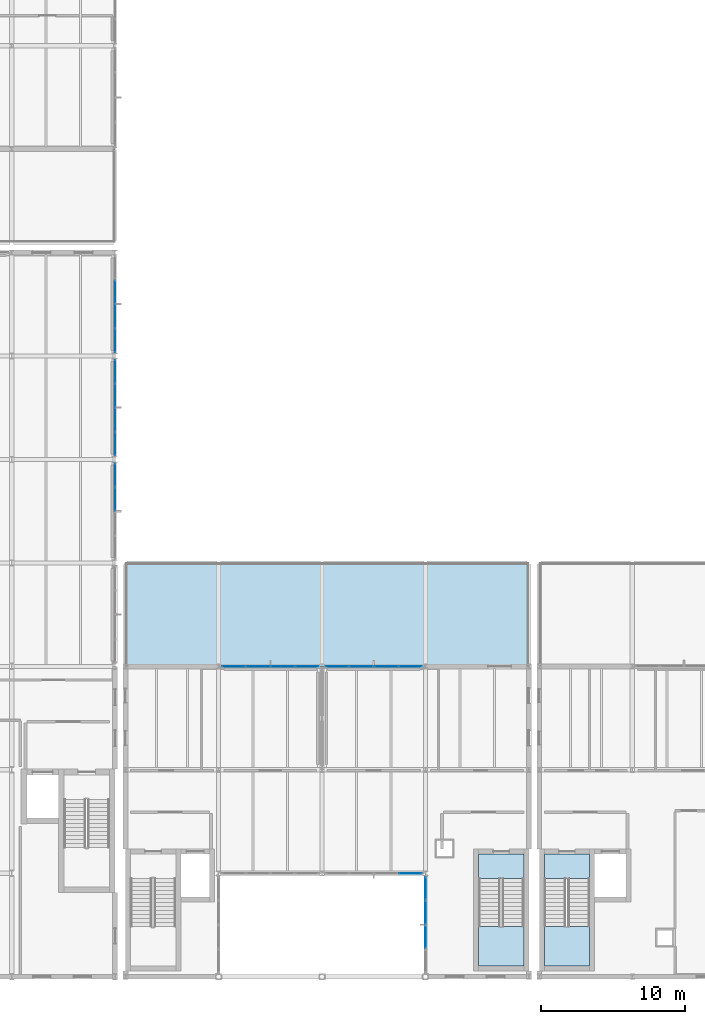
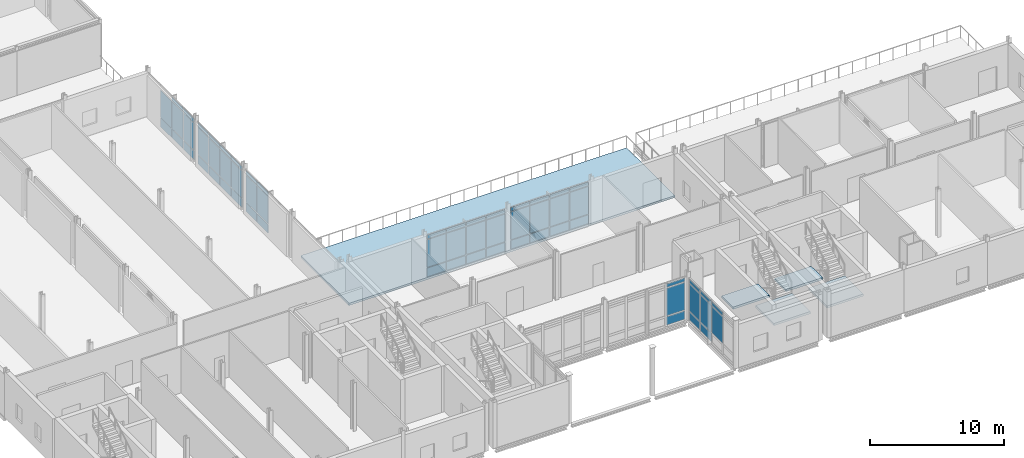
# One storey, part 24 of 53: 61 plates, 5 slabs, 9 elements without a shape of their own.
"""IFC4 building model written with IfcOpenShell, lengths in metres."""

from ifc_helpers import new_model, si_unit, direction, frame, origin, origin_2d, place, context, subcontext, project, spatial, polyline, rectangle, outline, extrude, material, layer, layer_set, type_object, element, aggregate, save


model = new_model("IFC4")

# Units and contexts
model_context = context("Model", 3, precision=1e-05, world=origin(), true_north=direction((0.0, 1.0)))
body_context = subcontext(model_context, "Body", "Model", "MODEL_VIEW")
ifc_project = project(units=[si_unit("LENGTHUNIT", "METRE"), si_unit("AREAUNIT", "SQUARE_METRE"), si_unit("VOLUMEUNIT", "CUBIC_METRE"), si_unit("PLANEANGLEUNIT", "RADIAN"), si_unit("MASSUNIT", "GRAM", prefix="KILO")], contexts=[model_context])

# Site, building, storey
site_placement = place(None, origin())
site = spatial("IfcSite", under=ifc_project, at=site_placement, CompositionType="ELEMENT")
building_placement = place(site_placement, origin())
building = spatial("IfcBuilding", under=site, at=building_placement, Name="Zarrinpeak Specialist Clinic", CompositionType="ELEMENT")
storey_placement = place(building_placement, frame((0.0, 0.0, 14.0)))
storey = spatial("IfcBuildingStorey", under=building, at=storey_placement, Name="L03", CompositionType="ELEMENT", Elevation=14.0)

# Curtain wall, plates
ifc_material_1 = material(Name="Anodised Aluminium Alloy 6063-T6", Category="aluminium")
ifc_layer_1 = layer(ifc_material_1, 0.179931640625)
ifc_layer_set_1 = layer_set([ifc_layer_1], Name="Anodised Aluminium Alloy 6063-T6")
curtain_wall_type_1 = type_object("IfcCurtainWallType", Name="CW-COURT", PredefinedType="NOTDEFINED", material=ifc_layer_set_1)
curtain_wall_1_placement = place(storey_placement, origin())
curtain_wall_1 = element("IfcCurtainWall", 1, at=curtain_wall_1_placement, inside=storey, type_object=curtain_wall_type_1, Name="L03 V1 Unitised Curtain Wall CW-L03-V1-022", PredefinedType="NOTDEFINED")
ifc_material_2 = material(Name="Double Low-E Insulated Glazing", Category="glass")
ifc_layer_2 = layer(ifc_material_2, 0.028076171875)
ifc_layer_set_2 = layer_set([ifc_layer_2], Name="Double Low-E Insulated Glazing")
plate_type = type_object("IfcPlateType", Name="CWP-GLZ28", PredefinedType="CURTAIN_PANEL", material=ifc_layer_set_2)
plate_1_placement = place(storey_placement, frame((28.800048828125, 33.24365234375, 0.074951171875), z_axis=(0.0, 0.0, 1.0), x_axis=(0.0, 1.0, 0.0)))
plate_1 = element("IfcPlate", 2, at=plate_1_placement, type_object=plate_type, Name="CW-01 panel 3.1", PredefinedType="CURTAIN_PANEL", context=body_context, shape_type="SweptSolid", body=[
    extrude(rectangle(XDim=1.612548828125, YDim=0.028076171875, at=origin_2d()), origin(), (0.0, 0.0, 1.0), 0.78759765625),
])
plate_2_placement = place(storey_placement, frame((28.800048828125, 33.24365234375, 0.9375), z_axis=(0.0, 0.0, 1.0), x_axis=(0.0, 1.0, 0.0)))
plate_2 = element("IfcPlate", 3, at=plate_2_placement, type_object=plate_type, Name="CW-01 panel 3.2", PredefinedType="CURTAIN_PANEL", context=body_context, shape_type="SweptSolid", body=[
    extrude(rectangle(XDim=1.612548828125, YDim=0.028076171875, at=origin_2d()), origin(), (0.0, 0.0, 1.0), 2.4599609375),
])
plate_3_placement = place(storey_placement, frame((28.800048828125, 33.24365234375, 3.47265625), z_axis=(0.0, 0.0, 1.0), x_axis=(0.0, 1.0, 0.0)))
plate_3 = element("IfcPlate", 4, at=plate_3_placement, type_object=plate_type, Name="CW-01 panel 3.3", PredefinedType="CURTAIN_PANEL", context=body_context, shape_type="SweptSolid", body=[
    extrude(rectangle(XDim=1.612548828125, YDim=0.028076171875, at=origin_2d()), origin(), (0.0, 0.0, 1.0), 0.33740234375),
])
plate_4_placement = place(storey_placement, frame((28.800048828125, 34.91259765625, 0.074951171875), z_axis=(0.0, 0.0, 1.0), x_axis=(0.0, 1.0, 0.0)))
plate_4 = element("IfcPlate", 5, at=plate_4_placement, type_object=plate_type, Name="CW-01 panel 4.1", PredefinedType="CURTAIN_PANEL", context=body_context, shape_type="SweptSolid", body=[
    extrude(rectangle(XDim=1.574951171875, YDim=0.028076171875, at=origin_2d()), origin(), (0.0, 0.0, 1.0), 0.78759765625),
])
plate_5_placement = place(storey_placement, frame((28.800048828125, 34.91259765625, 0.9375), z_axis=(0.0, 0.0, 1.0), x_axis=(0.0, 1.0, 0.0)))
plate_5 = element("IfcPlate", 6, at=plate_5_placement, type_object=plate_type, Name="CW-01 panel 4.2", PredefinedType="CURTAIN_PANEL", context=body_context, shape_type="SweptSolid", body=[
    extrude(rectangle(XDim=1.574951171875, YDim=0.028076171875, at=origin_2d()), origin(), (0.0, 0.0, 1.0), 2.4599609375),
])
plate_6_placement = place(storey_placement, frame((28.800048828125, 34.91259765625, 3.47265625), z_axis=(0.0, 0.0, 1.0), x_axis=(0.0, 1.0, 0.0)))
plate_6 = element("IfcPlate", 7, at=plate_6_placement, type_object=plate_type, Name="CW-01 panel 4.3", PredefinedType="CURTAIN_PANEL", context=body_context, shape_type="SweptSolid", body=[
    extrude(rectangle(XDim=1.574951171875, YDim=0.028076171875, at=origin_2d()), origin(), (0.0, 0.0, 1.0), 0.33740234375),
])
aggregate(curtain_wall_1, [plate_1, plate_2, plate_3, plate_4, plate_5, plate_6])

curtain_wall_2_placement = place(storey_placement, origin())
curtain_wall_2 = element("IfcCurtainWall", 8, at=curtain_wall_2_placement, inside=storey, type_object=curtain_wall_type_1, Name="L03 V1 Unitised Curtain Wall CW-L03-V1-023", PredefinedType="NOTDEFINED")
plate_7_placement = place(storey_placement, frame((28.800048828125, 37.090087890625, 0.074951171875), z_axis=(0.0, 0.0, 1.0), x_axis=(0.0, 1.0, 0.0)))
plate_7 = element("IfcPlate", 9, at=plate_7_placement, type_object=plate_type, Name="CW-01 panel 1.1", PredefinedType="CURTAIN_PANEL", context=body_context, shape_type="SweptSolid", body=[
    extrude(rectangle(XDim=1.580078125, YDim=0.028076171875, at=origin_2d()), origin(), (0.0, 0.0, 1.0), 0.78759765625),
])
plate_8_placement = place(storey_placement, frame((28.800048828125, 37.090087890625, 0.9375), z_axis=(0.0, 0.0, 1.0), x_axis=(0.0, 1.0, 0.0)))
plate_8 = element("IfcPlate", 10, at=plate_8_placement, type_object=plate_type, Name="CW-01 panel 1.2", PredefinedType="CURTAIN_PANEL", context=body_context, shape_type="SweptSolid", body=[
    extrude(rectangle(XDim=1.580078125, YDim=0.028076171875, at=origin_2d()), origin(), (0.0, 0.0, 1.0), 2.4599609375),
])
plate_9_placement = place(storey_placement, frame((28.800048828125, 37.090087890625, 3.47265625), z_axis=(0.0, 0.0, 1.0), x_axis=(0.0, 1.0, 0.0)))
plate_9 = element("IfcPlate", 11, at=plate_9_placement, type_object=plate_type, Name="CW-01 panel 1.3", PredefinedType="CURTAIN_PANEL", context=body_context, shape_type="SweptSolid", body=[
    extrude(rectangle(XDim=1.580078125, YDim=0.028076171875, at=origin_2d()), origin(), (0.0, 0.0, 1.0), 0.33740234375),
])
plate_10_placement = place(storey_placement, frame((28.800048828125, 38.763671875, 0.074951171875), z_axis=(0.0, 0.0, 1.0), x_axis=(0.0, 1.0, 0.0)))
plate_10 = element("IfcPlate", 12, at=plate_10_placement, type_object=plate_type, Name="CW-01 panel 2.1", PredefinedType="CURTAIN_PANEL", context=body_context, shape_type="SweptSolid", body=[
    extrude(rectangle(XDim=1.617431640625, YDim=0.028076171875, at=origin_2d()), origin(), (0.0, 0.0, 1.0), 0.78759765625),
])
plate_11_placement = place(storey_placement, frame((28.800048828125, 38.763671875, 0.9375), z_axis=(0.0, 0.0, 1.0), x_axis=(0.0, 1.0, 0.0)))
plate_11 = element("IfcPlate", 13, at=plate_11_placement, type_object=plate_type, Name="CW-01 panel 2.2", PredefinedType="CURTAIN_PANEL", context=body_context, shape_type="SweptSolid", body=[
    extrude(rectangle(XDim=1.617431640625, YDim=0.028076171875, at=origin_2d()), origin(), (0.0, 0.0, 1.0), 2.4599609375),
])
plate_12_placement = place(storey_placement, frame((28.800048828125, 38.763671875, 3.47265625), z_axis=(0.0, 0.0, 1.0), x_axis=(0.0, 1.0, 0.0)))
plate_12 = element("IfcPlate", 14, at=plate_12_placement, type_object=plate_type, Name="CW-01 panel 2.3", PredefinedType="CURTAIN_PANEL", context=body_context, shape_type="SweptSolid", body=[
    extrude(rectangle(XDim=1.617431640625, YDim=0.028076171875, at=origin_2d()), origin(), (0.0, 0.0, 1.0), 0.33740234375),
])
plate_13_placement = place(storey_placement, frame((28.800048828125, 40.456298828125, 0.074951171875), z_axis=(0.0, 0.0, 1.0), x_axis=(0.0, 1.0, 0.0)))
plate_13 = element("IfcPlate", 15, at=plate_13_placement, type_object=plate_type, Name="CW-01 panel 3.1", PredefinedType="CURTAIN_PANEL", context=body_context, shape_type="SweptSolid", body=[
    extrude(rectangle(XDim=1.617431640625, YDim=0.028076171875, at=origin_2d()), origin(), (0.0, 0.0, 1.0), 0.78759765625),
])
plate_14_placement = place(storey_placement, frame((28.800048828125, 40.456298828125, 0.9375), z_axis=(0.0, 0.0, 1.0), x_axis=(0.0, 1.0, 0.0)))
plate_14 = element("IfcPlate", 16, at=plate_14_placement, type_object=plate_type, Name="CW-01 panel 3.2", PredefinedType="CURTAIN_PANEL", context=body_context, shape_type="SweptSolid", body=[
    extrude(rectangle(XDim=1.617431640625, YDim=0.028076171875, at=origin_2d()), origin(), (0.0, 0.0, 1.0), 2.4599609375),
])
plate_15_placement = place(storey_placement, frame((28.800048828125, 40.456298828125, 3.47265625), z_axis=(0.0, 0.0, 1.0), x_axis=(0.0, 1.0, 0.0)))
plate_15 = element("IfcPlate", 17, at=plate_15_placement, type_object=plate_type, Name="CW-01 panel 3.3", PredefinedType="CURTAIN_PANEL", context=body_context, shape_type="SweptSolid", body=[
    extrude(rectangle(XDim=1.617431640625, YDim=0.028076171875, at=origin_2d()), origin(), (0.0, 0.0, 1.0), 0.33740234375),
])
plate_16_placement = place(storey_placement, frame((28.800048828125, 42.1298828125, 0.074951171875), z_axis=(0.0, 0.0, 1.0), x_axis=(0.0, 1.0, 0.0)))
plate_16 = element("IfcPlate", 18, at=plate_16_placement, type_object=plate_type, Name="CW-01 panel 4.1", PredefinedType="CURTAIN_PANEL", context=body_context, shape_type="SweptSolid", body=[
    extrude(rectangle(XDim=1.580078125, YDim=0.028076171875, at=origin_2d()), origin(), (0.0, 0.0, 1.0), 0.78759765625),
])
plate_17_placement = place(storey_placement, frame((28.800048828125, 42.1298828125, 0.9375), z_axis=(0.0, 0.0, 1.0), x_axis=(0.0, 1.0, 0.0)))
plate_17 = element("IfcPlate", 19, at=plate_17_placement, type_object=plate_type, Name="CW-01 panel 4.2", PredefinedType="CURTAIN_PANEL", context=body_context, shape_type="SweptSolid", body=[
    extrude(rectangle(XDim=1.580078125, YDim=0.028076171875, at=origin_2d()), origin(), (0.0, 0.0, 1.0), 2.4599609375),
])
plate_18_placement = place(storey_placement, frame((28.800048828125, 42.1298828125, 3.47265625), z_axis=(0.0, 0.0, 1.0), x_axis=(0.0, 1.0, 0.0)))
plate_18 = element("IfcPlate", 20, at=plate_18_placement, type_object=plate_type, Name="CW-01 panel 4.3", PredefinedType="CURTAIN_PANEL", context=body_context, shape_type="SweptSolid", body=[
    extrude(rectangle(XDim=1.580078125, YDim=0.028076171875, at=origin_2d()), origin(), (0.0, 0.0, 1.0), 0.33740234375),
])
aggregate(curtain_wall_2, [plate_7, plate_8, plate_9, plate_10, plate_11, plate_12, plate_13, plate_14, plate_15, plate_16, plate_17, plate_18])

curtain_wall_3_placement = place(storey_placement, origin())
curtain_wall_3 = element("IfcCurtainWall", 21, at=curtain_wall_3_placement, inside=storey, type_object=curtain_wall_type_1, Name="L03 V1 Unitised Curtain Wall CW-L03-V1-024", PredefinedType="NOTDEFINED")
plate_19_placement = place(storey_placement, frame((28.800048828125, 44.27490234375, 0.074951171875), z_axis=(0.0, 0.0, 1.0), x_axis=(0.0, 1.0, 0.0)))
plate_19 = element("IfcPlate", 22, at=plate_19_placement, type_object=plate_type, Name="CW-01 panel 1.1", PredefinedType="CURTAIN_PANEL", context=body_context, shape_type="SweptSolid", body=[
    extrude(rectangle(XDim=1.590087890625, YDim=0.028076171875, at=origin_2d()), origin(), (0.0, 0.0, 1.0), 0.78759765625),
])
plate_20_placement = place(storey_placement, frame((28.800048828125, 44.27490234375, 0.9375), z_axis=(0.0, 0.0, 1.0), x_axis=(0.0, 1.0, 0.0)))
plate_20 = element("IfcPlate", 23, at=plate_20_placement, type_object=plate_type, Name="CW-01 panel 1.2", PredefinedType="CURTAIN_PANEL", context=body_context, shape_type="SweptSolid", body=[
    extrude(rectangle(XDim=1.590087890625, YDim=0.028076171875, at=origin_2d()), origin(), (0.0, 0.0, 1.0), 2.4599609375),
])
plate_21_placement = place(storey_placement, frame((28.800048828125, 44.27490234375, 3.47265625), z_axis=(0.0, 0.0, 1.0), x_axis=(0.0, 1.0, 0.0)))
plate_21 = element("IfcPlate", 24, at=plate_21_placement, type_object=plate_type, Name="CW-01 panel 1.3", PredefinedType="CURTAIN_PANEL", context=body_context, shape_type="SweptSolid", body=[
    extrude(rectangle(XDim=1.590087890625, YDim=0.028076171875, at=origin_2d()), origin(), (0.0, 0.0, 1.0), 0.33740234375),
])
plate_22_placement = place(storey_placement, frame((28.800048828125, 45.958740234375, 0.074951171875), z_axis=(0.0, 0.0, 1.0), x_axis=(0.0, 1.0, 0.0)))
plate_22 = element("IfcPlate", 25, at=plate_22_placement, type_object=plate_type, Name="CW-01 panel 2.1", PredefinedType="CURTAIN_PANEL", context=body_context, shape_type="SweptSolid", body=[
    extrude(rectangle(XDim=1.62744140625, YDim=0.028076171875, at=origin_2d()), origin(), (0.0, 0.0, 1.0), 0.78759765625),
])
plate_23_placement = place(storey_placement, frame((28.800048828125, 45.958740234375, 0.9375), z_axis=(0.0, 0.0, 1.0), x_axis=(0.0, 1.0, 0.0)))
plate_23 = element("IfcPlate", 26, at=plate_23_placement, type_object=plate_type, Name="CW-01 panel 2.2", PredefinedType="CURTAIN_PANEL", context=body_context, shape_type="SweptSolid", body=[
    extrude(rectangle(XDim=1.62744140625, YDim=0.028076171875, at=origin_2d()), origin(), (0.0, 0.0, 1.0), 2.4599609375),
])
plate_24_placement = place(storey_placement, frame((28.800048828125, 45.958740234375, 3.47265625), z_axis=(0.0, 0.0, 1.0), x_axis=(0.0, 1.0, 0.0)))
plate_24 = element("IfcPlate", 27, at=plate_24_placement, type_object=plate_type, Name="CW-01 panel 2.3", PredefinedType="CURTAIN_PANEL", context=body_context, shape_type="SweptSolid", body=[
    extrude(rectangle(XDim=1.62744140625, YDim=0.028076171875, at=origin_2d()), origin(), (0.0, 0.0, 1.0), 0.33740234375),
])
plate_25_placement = place(storey_placement, frame((28.800048828125, 47.6611328125, 0.074951171875), z_axis=(0.0, 0.0, 1.0), x_axis=(0.0, 1.0, 0.0)))
plate_25 = element("IfcPlate", 28, at=plate_25_placement, type_object=plate_type, Name="CW-01 panel 3.1", PredefinedType="CURTAIN_PANEL", context=body_context, shape_type="SweptSolid", body=[
    extrude(rectangle(XDim=1.62744140625, YDim=0.028076171875, at=origin_2d()), origin(), (0.0, 0.0, 1.0), 0.78759765625),
])
plate_26_placement = place(storey_placement, frame((28.800048828125, 47.6611328125, 0.9375), z_axis=(0.0, 0.0, 1.0), x_axis=(0.0, 1.0, 0.0)))
plate_26 = element("IfcPlate", 29, at=plate_26_placement, type_object=plate_type, Name="CW-01 panel 3.2", PredefinedType="CURTAIN_PANEL", context=body_context, shape_type="SweptSolid", body=[
    extrude(rectangle(XDim=1.62744140625, YDim=0.028076171875, at=origin_2d()), origin(), (0.0, 0.0, 1.0), 2.4599609375),
])
aggregate(curtain_wall_3, [plate_19, plate_20, plate_21, plate_22, plate_23, plate_24, plate_25, plate_26])

ifc_layer_3 = layer(ifc_material_1, 0.18994140625)
ifc_layer_set_3 = layer_set([ifc_layer_3], Name="Anodised Aluminium Alloy 6063-T6")
curtain_wall_type_2 = type_object("IfcCurtainWallType", Name="CW-LOGGIA", PredefinedType="NOTDEFINED", material=ifc_layer_set_3)
curtain_wall_4_placement = place(storey_placement, origin())
curtain_wall_4 = element("IfcCurtainWall", 30, at=curtain_wall_4_placement, inside=storey, type_object=curtain_wall_type_2, Name="L03 V2 Unitised Curtain Wall CW-L03-V2-058", PredefinedType="NOTDEFINED")
plate_27_placement = place(storey_placement, frame((49.34619140625, 7.199951171875, 0.08984375), z_axis=(0.0, 0.0, 1.0), x_axis=(1.0, 0.0, 0.0)))
plate_27 = element("IfcPlate", 31, at=plate_27_placement, type_object=plate_type, Name="CW-04 panel 4.1", PredefinedType="CURTAIN_PANEL", context=body_context, shape_type="SweptSolid", body=[
    extrude(rectangle(XDim=1.577392578125, YDim=0.028076171875, at=origin_2d()), origin(), (0.0, 0.0, 1.0), 0.764892578125),
])
plate_28_placement = place(storey_placement, frame((49.34619140625, 7.199951171875, 0.94482421875), z_axis=(0.0, 0.0, 1.0), x_axis=(1.0, 0.0, 0.0)))
plate_28 = element("IfcPlate", 32, at=plate_28_placement, type_object=plate_type, Name="CW-04 panel 4.2", PredefinedType="CURTAIN_PANEL", context=body_context, shape_type="SweptSolid", body=[
    extrude(rectangle(XDim=1.577392578125, YDim=0.028076171875, at=origin_2d()), origin(), (0.0, 0.0, 1.0), 2.4951171875),
])
plate_29_placement = place(storey_placement, frame((49.34619140625, 7.199951171875, 3.530029296875), z_axis=(0.0, 0.0, 1.0), x_axis=(1.0, 0.0, 0.0)))
plate_29 = element("IfcPlate", 33, at=plate_29_placement, type_object=plate_type, Name="CW-04 panel 4.3", PredefinedType="CURTAIN_PANEL", context=body_context, shape_type="SweptSolid", body=[
    extrude(rectangle(XDim=1.577392578125, YDim=0.028076171875, at=origin_2d()), origin(), (0.0, 0.0, 1.0), 0.31494140625),
])
aggregate(curtain_wall_4, [plate_27, plate_28, plate_29])

curtain_wall_5_placement = place(storey_placement, origin())
curtain_wall_5 = element("IfcCurtainWall", 34, at=curtain_wall_5_placement, inside=storey, type_object=curtain_wall_type_2, Name="L03 V2 Unitised Curtain Wall CW-L03-V2-060", PredefinedType="NOTDEFINED")
plate_30_placement = place(storey_placement, frame((50.39990234375, 6.14404296875, 0.08984375), z_axis=(0.0, 0.0, 1.0), x_axis=(0.0, -1.0, 0.0)))
plate_30 = element("IfcPlate", 35, at=plate_30_placement, type_object=plate_type, Name="CW-04 panel 1.1", PredefinedType="CURTAIN_PANEL", context=body_context, shape_type="SweptSolid", body=[
    extrude(rectangle(XDim=1.561767578125, YDim=0.028076171875, at=origin_2d()), origin(), (0.0, 0.0, 1.0), 0.764892578125),
])
plate_31_placement = place(storey_placement, frame((50.39990234375, 6.14404296875, 0.94482421875), z_axis=(0.0, 0.0, 1.0), x_axis=(0.0, -1.0, 0.0)))
plate_31 = element("IfcPlate", 36, at=plate_31_placement, type_object=plate_type, Name="CW-04 panel 1.2", PredefinedType="CURTAIN_PANEL", context=body_context, shape_type="SweptSolid", body=[
    extrude(rectangle(XDim=1.561767578125, YDim=0.028076171875, at=origin_2d()), origin(), (0.0, 0.0, 1.0), 2.445068359375),
])
plate_32_placement = place(storey_placement, frame((50.39990234375, 6.14404296875, 3.47998046875), z_axis=(0.0, 0.0, 1.0), x_axis=(0.0, -1.0, 0.0)))
plate_32 = element("IfcPlate", 37, at=plate_32_placement, type_object=plate_type, Name="CW-04 panel 1.3", PredefinedType="CURTAIN_PANEL", context=body_context, shape_type="SweptSolid", body=[
    extrude(rectangle(XDim=1.561767578125, YDim=0.028076171875, at=origin_2d()), origin(), (0.0, 0.0, 1.0), 0.31494140625),
])
plate_33_placement = place(storey_placement, frame((50.39990234375, 4.469970703125, 0.08984375), z_axis=(0.0, 0.0, 1.0), x_axis=(0.0, -1.0, 0.0)))
plate_33 = element("IfcPlate", 38, at=plate_33_placement, type_object=plate_type, Name="CW-04 panel 2.1", PredefinedType="CURTAIN_PANEL", context=body_context, shape_type="SweptSolid", body=[
    extrude(rectangle(XDim=1.606689453125, YDim=0.028076171875, at=origin_2d()), origin(), (0.0, 0.0, 1.0), 0.764892578125),
])
plate_34_placement = place(storey_placement, frame((50.39990234375, 4.469970703125, 0.94482421875), z_axis=(0.0, 0.0, 1.0), x_axis=(0.0, -1.0, 0.0)))
plate_34 = element("IfcPlate", 39, at=plate_34_placement, type_object=plate_type, Name="CW-04 panel 2.2", PredefinedType="CURTAIN_PANEL", context=body_context, shape_type="SweptSolid", body=[
    extrude(rectangle(XDim=1.606689453125, YDim=0.028076171875, at=origin_2d()), origin(), (0.0, 0.0, 1.0), 2.445068359375),
])
plate_35_placement = place(storey_placement, frame((50.39990234375, 4.469970703125, 3.47998046875), z_axis=(0.0, 0.0, 1.0), x_axis=(0.0, -1.0, 0.0)))
plate_35 = element("IfcPlate", 40, at=plate_35_placement, type_object=plate_type, Name="CW-04 panel 2.3", PredefinedType="CURTAIN_PANEL", context=body_context, shape_type="SweptSolid", body=[
    extrude(rectangle(XDim=1.606689453125, YDim=0.028076171875, at=origin_2d()), origin(), (0.0, 0.0, 1.0), 0.31494140625),
])
plate_36_placement = place(storey_placement, frame((50.39990234375, 2.773193359375, 0.94482421875), z_axis=(0.0, 0.0, 1.0), x_axis=(0.0, -1.0, 0.0)))
plate_36 = element("IfcPlate", 41, at=plate_36_placement, type_object=plate_type, Name="CW-04 panel 3.2", PredefinedType="CURTAIN_PANEL", context=body_context, shape_type="SweptSolid", body=[
    extrude(rectangle(XDim=1.606689453125, YDim=0.028076171875, at=origin_2d()), origin(), (0.0, 0.0, 1.0), 2.445068359375),
])
plate_37_placement = place(storey_placement, frame((50.39990234375, 2.773193359375, 3.47998046875), z_axis=(0.0, 0.0, 1.0), x_axis=(0.0, -1.0, 0.0)))
plate_37 = element("IfcPlate", 42, at=plate_37_placement, type_object=plate_type, Name="CW-04 panel 3.3", PredefinedType="CURTAIN_PANEL", context=body_context, shape_type="SweptSolid", body=[
    extrude(rectangle(XDim=1.606689453125, YDim=0.028076171875, at=origin_2d()), origin(), (0.0, 0.0, 1.0), 0.31494140625),
])
aggregate(curtain_wall_5, [plate_30, plate_31, plate_32, plate_33, plate_34, plate_35, plate_36, plate_37])

curtain_wall_6_placement = place(storey_placement, origin())
curtain_wall_6 = element("IfcCurtainWall", 43, at=curtain_wall_6_placement, inside=storey, type_object=curtain_wall_type_1, Name="L03 V2 Unitised Curtain Wall CW-L03-V2-061", PredefinedType="NOTDEFINED")
plate_38_placement = place(storey_placement, frame((42.14990234375, 21.60009765625, 0.074951171875), z_axis=(0.0, 0.0, 1.0), x_axis=(-1.0, 0.0, 0.0)))
plate_38 = element("IfcPlate", 44, at=plate_38_placement, type_object=plate_type, Name="CW-01 panel 1.1", PredefinedType="CURTAIN_PANEL", context=body_context, shape_type="SweptSolid", body=[
    extrude(rectangle(XDim=1.60009765625, YDim=0.028076171875, at=origin_2d()), origin(), (0.0, 0.0, 1.0), 0.78759765625),
])
plate_39_placement = place(storey_placement, frame((42.14990234375, 21.60009765625, 0.9375), z_axis=(0.0, 0.0, 1.0), x_axis=(-1.0, 0.0, 0.0)))
plate_39 = element("IfcPlate", 45, at=plate_39_placement, type_object=plate_type, Name="CW-01 panel 1.2", PredefinedType="CURTAIN_PANEL", context=body_context, shape_type="SweptSolid", body=[
    extrude(rectangle(XDim=1.60009765625, YDim=0.028076171875, at=origin_2d()), origin(), (0.0, 0.0, 1.0), 2.510009765625),
])
plate_40_placement = place(storey_placement, frame((42.14990234375, 21.60009765625, 3.5224609375), z_axis=(0.0, 0.0, 1.0), x_axis=(-1.0, 0.0, 0.0)))
plate_40 = element("IfcPlate", 46, at=plate_40_placement, type_object=plate_type, Name="CW-01 panel 1.3", PredefinedType="CURTAIN_PANEL", context=body_context, shape_type="SweptSolid", body=[
    extrude(rectangle(XDim=1.60009765625, YDim=0.028076171875, at=origin_2d()), origin(), (0.0, 0.0, 1.0), 0.33740234375),
])
plate_41_placement = place(storey_placement, frame((40.456298828125, 21.60009765625, 0.074951171875), z_axis=(0.0, 0.0, 1.0), x_axis=(-1.0, 0.0, 0.0)))
plate_41 = element("IfcPlate", 47, at=plate_41_placement, type_object=plate_type, Name="CW-01 panel 2.1", PredefinedType="CURTAIN_PANEL", context=body_context, shape_type="SweptSolid", body=[
    extrude(rectangle(XDim=1.637451171875, YDim=0.028076171875, at=origin_2d()), origin(), (0.0, 0.0, 1.0), 0.78759765625),
])
plate_42_placement = place(storey_placement, frame((40.456298828125, 21.60009765625, 0.9375), z_axis=(0.0, 0.0, 1.0), x_axis=(-1.0, 0.0, 0.0)))
plate_42 = element("IfcPlate", 48, at=plate_42_placement, type_object=plate_type, Name="CW-01 panel 2.2", PredefinedType="CURTAIN_PANEL", context=body_context, shape_type="SweptSolid", body=[
    extrude(rectangle(XDim=1.637451171875, YDim=0.028076171875, at=origin_2d()), origin(), (0.0, 0.0, 1.0), 2.510009765625),
])
plate_43_placement = place(storey_placement, frame((40.456298828125, 21.60009765625, 3.5224609375), z_axis=(0.0, 0.0, 1.0), x_axis=(-1.0, 0.0, 0.0)))
plate_43 = element("IfcPlate", 49, at=plate_43_placement, type_object=plate_type, Name="CW-01 panel 2.3", PredefinedType="CURTAIN_PANEL", context=body_context, shape_type="SweptSolid", body=[
    extrude(rectangle(XDim=1.637451171875, YDim=0.028076171875, at=origin_2d()), origin(), (0.0, 0.0, 1.0), 0.33740234375),
])
plate_44_placement = place(storey_placement, frame((38.74365234375, 21.60009765625, 0.074951171875), z_axis=(0.0, 0.0, 1.0), x_axis=(-1.0, 0.0, 0.0)))
plate_44 = element("IfcPlate", 50, at=plate_44_placement, type_object=plate_type, Name="CW-01 panel 3.1", PredefinedType="CURTAIN_PANEL", context=body_context, shape_type="SweptSolid", body=[
    extrude(rectangle(XDim=1.637451171875, YDim=0.028076171875, at=origin_2d()), origin(), (0.0, 0.0, 1.0), 0.78759765625),
])
plate_45_placement = place(storey_placement, frame((38.74365234375, 21.60009765625, 0.9375), z_axis=(0.0, 0.0, 1.0), x_axis=(-1.0, 0.0, 0.0)))
plate_45 = element("IfcPlate", 51, at=plate_45_placement, type_object=plate_type, Name="CW-01 panel 3.2", PredefinedType="CURTAIN_PANEL", context=body_context, shape_type="SweptSolid", body=[
    extrude(rectangle(XDim=1.637451171875, YDim=0.028076171875, at=origin_2d()), origin(), (0.0, 0.0, 1.0), 2.510009765625),
])
plate_46_placement = place(storey_placement, frame((38.74365234375, 21.60009765625, 3.5224609375), z_axis=(0.0, 0.0, 1.0), x_axis=(-1.0, 0.0, 0.0)))
plate_46 = element("IfcPlate", 52, at=plate_46_placement, type_object=plate_type, Name="CW-01 panel 3.3", PredefinedType="CURTAIN_PANEL", context=body_context, shape_type="SweptSolid", body=[
    extrude(rectangle(XDim=1.637451171875, YDim=0.028076171875, at=origin_2d()), origin(), (0.0, 0.0, 1.0), 0.33740234375),
])
plate_47_placement = place(storey_placement, frame((37.050048828125, 21.60009765625, 0.074951171875), z_axis=(0.0, 0.0, 1.0), x_axis=(-1.0, 0.0, 0.0)))
plate_47 = element("IfcPlate", 53, at=plate_47_placement, type_object=plate_type, Name="CW-01 panel 4.1", PredefinedType="CURTAIN_PANEL", context=body_context, shape_type="SweptSolid", body=[
    extrude(rectangle(XDim=1.60009765625, YDim=0.028076171875, at=origin_2d()), origin(), (0.0, 0.0, 1.0), 0.78759765625),
])
plate_48_placement = place(storey_placement, frame((37.050048828125, 21.60009765625, 0.9375), z_axis=(0.0, 0.0, 1.0), x_axis=(-1.0, 0.0, 0.0)))
plate_48 = element("IfcPlate", 54, at=plate_48_placement, type_object=plate_type, Name="CW-01 panel 4.2", PredefinedType="CURTAIN_PANEL", context=body_context, shape_type="SweptSolid", body=[
    extrude(rectangle(XDim=1.60009765625, YDim=0.028076171875, at=origin_2d()), origin(), (0.0, 0.0, 1.0), 2.510009765625),
])
plate_49_placement = place(storey_placement, frame((37.050048828125, 21.60009765625, 3.5224609375), z_axis=(0.0, 0.0, 1.0), x_axis=(-1.0, 0.0, 0.0)))
plate_49 = element("IfcPlate", 55, at=plate_49_placement, type_object=plate_type, Name="CW-01 panel 4.3", PredefinedType="CURTAIN_PANEL", context=body_context, shape_type="SweptSolid", body=[
    extrude(rectangle(XDim=1.60009765625, YDim=0.028076171875, at=origin_2d()), origin(), (0.0, 0.0, 1.0), 0.33740234375),
])
aggregate(curtain_wall_6, [plate_38, plate_39, plate_40, plate_41, plate_42, plate_43, plate_44, plate_45, plate_46, plate_47, plate_48, plate_49])

curtain_wall_7_placement = place(storey_placement, origin())
curtain_wall_7 = element("IfcCurtainWall", 56, at=curtain_wall_7_placement, inside=storey, type_object=curtain_wall_type_1, Name="L03 V2 Unitised Curtain Wall CW-L03-V2-062", PredefinedType="NOTDEFINED")
plate_50_placement = place(storey_placement, frame((49.35009765625, 21.60009765625, 0.074951171875), z_axis=(0.0, 0.0, 1.0), x_axis=(-1.0, 0.0, 0.0)))
plate_50 = element("IfcPlate", 57, at=plate_50_placement, type_object=plate_type, Name="CW-01 panel 1.1", PredefinedType="CURTAIN_PANEL", context=body_context, shape_type="SweptSolid", body=[
    extrude(rectangle(XDim=1.60009765625, YDim=0.028076171875, at=origin_2d()), origin(), (0.0, 0.0, 1.0), 0.78759765625),
])
plate_51_placement = place(storey_placement, frame((49.35009765625, 21.60009765625, 0.9375), z_axis=(0.0, 0.0, 1.0), x_axis=(-1.0, 0.0, 0.0)))
plate_51 = element("IfcPlate", 58, at=plate_51_placement, type_object=plate_type, Name="CW-01 panel 1.2", PredefinedType="CURTAIN_PANEL", context=body_context, shape_type="SweptSolid", body=[
    extrude(rectangle(XDim=1.60009765625, YDim=0.028076171875, at=origin_2d()), origin(), (0.0, 0.0, 1.0), 2.510009765625),
])
plate_52_placement = place(storey_placement, frame((49.35009765625, 21.60009765625, 3.5224609375), z_axis=(0.0, 0.0, 1.0), x_axis=(-1.0, 0.0, 0.0)))
plate_52 = element("IfcPlate", 59, at=plate_52_placement, type_object=plate_type, Name="CW-01 panel 1.3", PredefinedType="CURTAIN_PANEL", context=body_context, shape_type="SweptSolid", body=[
    extrude(rectangle(XDim=1.60009765625, YDim=0.028076171875, at=origin_2d()), origin(), (0.0, 0.0, 1.0), 0.33740234375),
])
plate_53_placement = place(storey_placement, frame((47.65625, 21.60009765625, 0.074951171875), z_axis=(0.0, 0.0, 1.0), x_axis=(-1.0, 0.0, 0.0)))
plate_53 = element("IfcPlate", 60, at=plate_53_placement, type_object=plate_type, Name="CW-01 panel 2.1", PredefinedType="CURTAIN_PANEL", context=body_context, shape_type="SweptSolid", body=[
    extrude(rectangle(XDim=1.637451171875, YDim=0.028076171875, at=origin_2d()), origin(), (0.0, 0.0, 1.0), 0.78759765625),
])
plate_54_placement = place(storey_placement, frame((47.65625, 21.60009765625, 0.9375), z_axis=(0.0, 0.0, 1.0), x_axis=(-1.0, 0.0, 0.0)))
plate_54 = element("IfcPlate", 61, at=plate_54_placement, type_object=plate_type, Name="CW-01 panel 2.2", PredefinedType="CURTAIN_PANEL", context=body_context, shape_type="SweptSolid", body=[
    extrude(rectangle(XDim=1.637451171875, YDim=0.028076171875, at=origin_2d()), origin(), (0.0, 0.0, 1.0), 2.510009765625),
])
plate_55_placement = place(storey_placement, frame((47.65625, 21.60009765625, 3.5224609375), z_axis=(0.0, 0.0, 1.0), x_axis=(-1.0, 0.0, 0.0)))
plate_55 = element("IfcPlate", 62, at=plate_55_placement, type_object=plate_type, Name="CW-01 panel 2.3", PredefinedType="CURTAIN_PANEL", context=body_context, shape_type="SweptSolid", body=[
    extrude(rectangle(XDim=1.637451171875, YDim=0.028076171875, at=origin_2d()), origin(), (0.0, 0.0, 1.0), 0.33740234375),
])
plate_56_placement = place(storey_placement, frame((45.94384765625, 21.60009765625, 0.074951171875), z_axis=(0.0, 0.0, 1.0), x_axis=(-1.0, 0.0, 0.0)))
plate_56 = element("IfcPlate", 63, at=plate_56_placement, type_object=plate_type, Name="CW-01 panel 3.1", PredefinedType="CURTAIN_PANEL", context=body_context, shape_type="SweptSolid", body=[
    extrude(rectangle(XDim=1.637451171875, YDim=0.028076171875, at=origin_2d()), origin(), (0.0, 0.0, 1.0), 0.78759765625),
])
plate_57_placement = place(storey_placement, frame((45.94384765625, 21.60009765625, 0.9375), z_axis=(0.0, 0.0, 1.0), x_axis=(-1.0, 0.0, 0.0)))
plate_57 = element("IfcPlate", 64, at=plate_57_placement, type_object=plate_type, Name="CW-01 panel 3.2", PredefinedType="CURTAIN_PANEL", context=body_context, shape_type="SweptSolid", body=[
    extrude(rectangle(XDim=1.637451171875, YDim=0.028076171875, at=origin_2d()), origin(), (0.0, 0.0, 1.0), 2.510009765625),
])
plate_58_placement = place(storey_placement, frame((45.94384765625, 21.60009765625, 3.5224609375), z_axis=(0.0, 0.0, 1.0), x_axis=(-1.0, 0.0, 0.0)))
plate_58 = element("IfcPlate", 65, at=plate_58_placement, type_object=plate_type, Name="CW-01 panel 3.3", PredefinedType="CURTAIN_PANEL", context=body_context, shape_type="SweptSolid", body=[
    extrude(rectangle(XDim=1.637451171875, YDim=0.028076171875, at=origin_2d()), origin(), (0.0, 0.0, 1.0), 0.33740234375),
])
plate_59_placement = place(storey_placement, frame((44.25, 21.60009765625, 0.074951171875), z_axis=(0.0, 0.0, 1.0), x_axis=(-1.0, 0.0, 0.0)))
plate_59 = element("IfcPlate", 66, at=plate_59_placement, type_object=plate_type, Name="CW-01 panel 4.1", PredefinedType="CURTAIN_PANEL", context=body_context, shape_type="SweptSolid", body=[
    extrude(rectangle(XDim=1.60009765625, YDim=0.028076171875, at=origin_2d()), origin(), (0.0, 0.0, 1.0), 0.78759765625),
])
plate_60_placement = place(storey_placement, frame((44.25, 21.60009765625, 0.9375), z_axis=(0.0, 0.0, 1.0), x_axis=(-1.0, 0.0, 0.0)))
plate_60 = element("IfcPlate", 67, at=plate_60_placement, type_object=plate_type, Name="CW-01 panel 4.2", PredefinedType="CURTAIN_PANEL", context=body_context, shape_type="SweptSolid", body=[
    extrude(rectangle(XDim=1.60009765625, YDim=0.028076171875, at=origin_2d()), origin(), (0.0, 0.0, 1.0), 2.510009765625),
])
plate_61_placement = place(storey_placement, frame((44.25, 21.60009765625, 3.5224609375), z_axis=(0.0, 0.0, 1.0), x_axis=(-1.0, 0.0, 0.0)))
plate_61 = element("IfcPlate", 68, at=plate_61_placement, type_object=plate_type, Name="CW-01 panel 4.3", PredefinedType="CURTAIN_PANEL", context=body_context, shape_type="SweptSolid", body=[
    extrude(rectangle(XDim=1.60009765625, YDim=0.028076171875, at=origin_2d()), origin(), (0.0, 0.0, 1.0), 0.33740234375),
])
aggregate(curtain_wall_7, [plate_50, plate_51, plate_52, plate_53, plate_54, plate_55, plate_56, plate_57, plate_58, plate_59, plate_60, plate_61])

# Slabs
ifc_material_3 = material(Name="Concrete C35/45", Category="concrete")
ifc_layer_4 = layer(ifc_material_3, 0.199951171875)
ifc_layer_set_4 = layer_set([ifc_layer_4], Name="Concrete C35/45")
slab_type_1 = type_object("IfcSlabType", Name="SL-FLR200", PredefinedType="FLOOR", material=ifc_layer_set_4)
slab_1_placement = place(storey_placement, frame((0.0, 0.0, -0.199951171875)))
element("IfcSlab", 69, at=slab_1_placement, inside=storey, type_object=slab_type_1, Name="L03 Core C04 Stairwell Floor Landing Slab", PredefinedType="FLOOR", context=body_context, shape_type="SweptSolid", body=[
    extrude(outline(polyline([(54.10009765625, 6.85009765625), (57.25, 6.85009765625), (57.25, 8.550048828125), (54.10009765625, 8.550048828125), (54.10009765625, 6.85009765625)])), origin(), (0.0, 0.0, 1.0), 0.199951171875),
])
slab_2_placement = place(storey_placement, frame((0.0, 0.0, -0.199951171875)))
element("IfcSlab", 70, at=slab_2_placement, inside=storey, type_object=slab_type_1, Name="L03 Core C07 Stairwell Floor Landing Slab", PredefinedType="FLOOR", context=body_context, shape_type="SweptSolid", body=[
    extrude(outline(polyline([(58.669921875, 6.85009765625), (61.820068359375, 6.85009765625), (61.820068359375, 8.550048828125), (58.669921875, 8.550048828125), (58.669921875, 6.85009765625)])), origin(), (0.0, 0.0, 1.0), 0.199951171875),
])

# Stair, slab
stair_type = type_object("IfcStairType", Name="ST-DOG", PredefinedType="HALF_TURN_STAIR", material=ifc_material_3)
stair_1_placement = place(storey_placement, origin())
stair_1 = element("IfcStair", 71, at=stair_1_placement, inside=storey, type_object=stair_type, Name="L03 Protected Exit Stair ST-04", PredefinedType="HALF_TURN_STAIR")
ifc_layer_5 = layer(ifc_material_3, 0.199951171875)
ifc_layer_set_5 = layer_set([ifc_layer_5], Name="Concrete C35/45")
slab_type_2 = type_object("IfcSlabType", Name="SL-LAND200", PredefinedType="LANDING", material=ifc_layer_set_5)
slab_3_placement = place(storey_placement, frame((0.0, 0.0, 2.0)))
slab_3 = element("IfcSlab", 72, at=slab_3_placement, type_object=slab_type_2, Name="ST-04 landing 1", PredefinedType="LANDING", context=body_context, shape_type="SweptSolid", body=[
    extrude(outline(polyline([(54.10009765625, 3.489990234375), (54.10009765625, 0.75), (57.25, 0.75), (57.25, 3.489990234375), (54.10009765625, 3.489990234375)])), origin(), (0.0, 0.0, 1.0), 0.199951171875),
])
aggregate(stair_1, [slab_3])

stair_2_placement = place(storey_placement, origin())
stair_2 = element("IfcStair", 73, at=stair_2_placement, inside=storey, type_object=stair_type, Name="L03 Protected Exit Stair ST-07", PredefinedType="HALF_TURN_STAIR")
slab_4_placement = place(storey_placement, frame((0.0, 0.0, 2.0)))
slab_4 = element("IfcSlab", 74, at=slab_4_placement, type_object=slab_type_2, Name="ST-07 landing 1", PredefinedType="LANDING", context=body_context, shape_type="SweptSolid", body=[
    extrude(outline(polyline([(58.669921875, 3.489990234375), (58.669921875, 0.75), (61.820068359375, 0.75), (61.820068359375, 3.489990234375), (58.669921875, 3.489990234375)])), origin(), (0.0, 0.0, 1.0), 0.199951171875),
])
aggregate(stair_2, [slab_4])

# Slab
ifc_layer_6 = layer(ifc_material_3, 0.195068359375)
ifc_layer_set_6 = layer_set([ifc_layer_6], Name="Concrete C35/45")
slab_type_3 = type_object("IfcSlabType", Name="SL-TER195", PredefinedType="FLOOR", material=ifc_layer_set_6)
slab_5_placement = place(storey_placement, frame((0.0, 0.0, -0.195068359375)))
element("IfcSlab", 75, at=slab_5_placement, inside=storey, type_object=slab_type_3, Name="L03 Healing Roof Terrace Slab V2", PredefinedType="FLOOR", context=body_context, shape_type="SweptSolid", body=[
    extrude(outline(polyline([(29.52001953125, 21.60009765625), (57.60009765625, 21.60009765625), (57.60009765625, 28.800048828125), (29.52001953125, 28.800048828125), (29.52001953125, 21.60009765625)])), origin(), (0.0, 0.0, 1.0), 0.195068359375),
])

save(model, "model.ifc")
